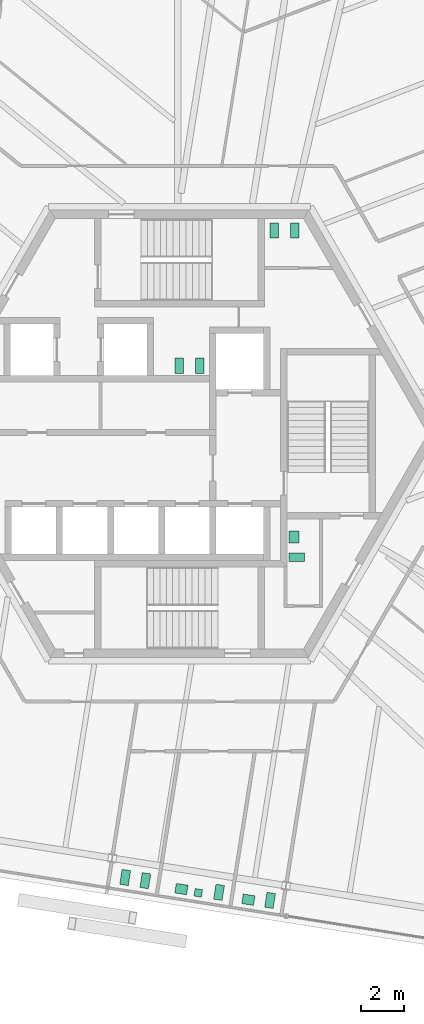
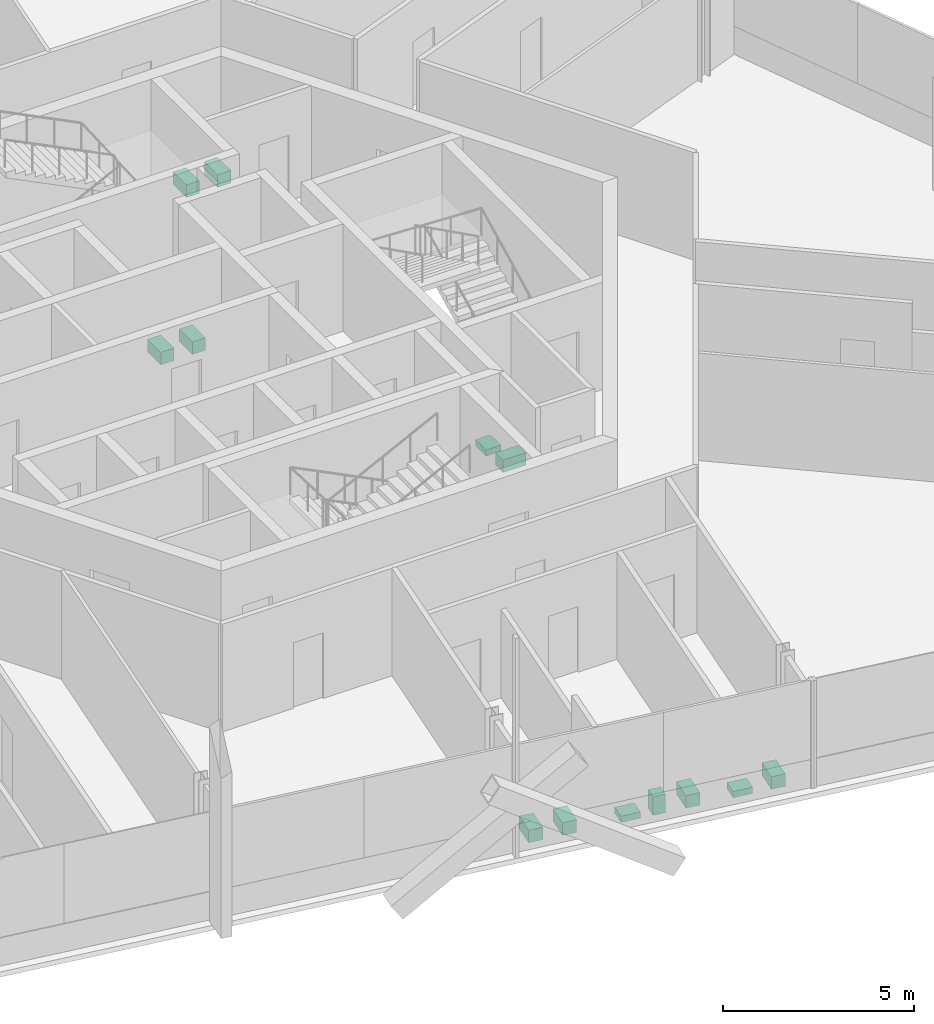
# One storey, part 20 of 22: 13 sanitary terminals.
"""IFC4 building model written with IfcOpenShell, lengths in metres."""

from ifc_helpers import new_model, si_unit, direction, frame, origin, origin_2d, place, context, subcontext, project, spatial, rectangle, extrude, source, transform, mapped, material, element, save


model = new_model("IFC4")

# Units and contexts
model_context = context("Model", 3, precision=1e-05, world=origin(), true_north=direction((0.0, 1.0)))
body_context = subcontext(model_context, "Body", "Model", "MODEL_VIEW")
ifc_project = project(units=[si_unit("LENGTHUNIT", "METRE"), si_unit("AREAUNIT", "SQUARE_METRE"), si_unit("VOLUMEUNIT", "CUBIC_METRE"), si_unit("PLANEANGLEUNIT", "RADIAN"), si_unit("MASSUNIT", "GRAM", prefix="KILO")], contexts=[model_context])

# Site, building, storey
site_placement = place(None, origin())
site = spatial("IfcSite", under=ifc_project, at=site_placement, CompositionType="ELEMENT")
building_placement = place(site_placement, origin())
building = spatial("IfcBuilding", under=site, at=building_placement, Name="Triune Harvest Tower", CompositionType="ELEMENT")
storey_placement = place(building_placement, frame((0.0, 0.0, 153.300048828125)))
storey = spatial("IfcBuildingStorey", under=building, at=storey_placement, Name="L39", CompositionType="ELEMENT", Elevation=153.300048828125)

# Sanitary terminals
ifc_material = material(Name="Vitreous china")
shared_shape_1 = source(origin(), body_context, "Body", "SweptSolid", [
    extrude(rectangle(XDim=0.39990234375, YDim=0.699951171875, at=origin_2d()), origin(), (0.0, 0.0, 1.0), 0.39990234375),
])
for number, where, z_axis, x_axis, name in (
    (1, (4.39990234375, 9.449951171875, 0.0), (0.0, 0.0, 1.0), (1.0, 0.0, 0.0), "Toilet pan L39.c01"),
    (2, (5.35009765625, 9.449951171875, 0.0), (0.0, 0.0, 1.0), (1.0, 0.0, 0.0), "Toilet pan L39.c02"),
    (3, (0.949951171875, 3.159912109375, 0.0), (0.0, 0.0, 1.0), (-1.0, 0.0, 0.0), "Toilet pan L39.c03"),
    (4, (0.0, 3.159912109375, 0.0), (0.0, 0.0, 1.0), (-1.0, 0.0, 0.0), "Toilet pan L39.c04"),
    (5, (5.449951171875, -5.739990234375, 0.0), (0.0, 0.0, 1.0), (0.0, 1.0, 0.0), "Toilet pan L39.c05"),
    (6, (-1.581787109375, -20.7587890625, 0.0), (0.0, 0.0, 1.0), (-0.987688340595, 0.15643446504, 0.0), "Toilet pan 01"),
    (7, (-2.52001953125, -20.610107421875, 0.0), (0.0, 0.0, 1.0), (-0.987688340595, 0.15643446504, 0.0), "Toilet pan 02"),
    (8, (1.840576171875, -21.30078125, 0.0), (0.0, 0.0, 1.0), (-0.987688340595, 0.15643446504, 0.0), "Toilet pan 03"),
    (9, (4.2109375, -21.67626953125, 0.0), (0.0, 0.0, 1.0), (-0.987688340595, 0.15643446504, 0.0), "Toilet pan 06"),
):
    element("IfcSanitaryTerminal", number, at=place(storey_placement, frame(where, z_axis=z_axis, x_axis=x_axis)), inside=storey, material=ifc_material, Name=name, PredefinedType="TOILETPAN", context=body_context, shape_type="MappedRepresentation", body=[
        mapped(shared_shape_1, transform((0.0, 0.0, 0.0), scale=1.0)),
    ])
shared_shape_2 = source(origin(), body_context, "Body", "SweptSolid", [
    extrude(rectangle(XDim=0.35009765625, YDim=0.35009765625, at=origin_2d()), origin(), (0.0, 0.0, 1.0), 0.60009765625),
])
sanitary_terminal_placement = place(storey_placement, frame((0.874755859375, -21.324951171875, 0.0), z_axis=(0.0, 0.0, 1.0), x_axis=(-0.987688340595, 0.15643446504, 0.0)))
element("IfcSanitaryTerminal", 10, at=sanitary_terminal_placement, inside=storey, material=ifc_material, Name="Urinal 04", PredefinedType="URINAL", context=body_context, shape_type="MappedRepresentation", body=[
    mapped(shared_shape_2, transform((0.0, 0.0, 0.0), scale=1.0)),
])
shared_shape_3 = source(origin(), body_context, "Body", "SweptSolid", [
    extrude(rectangle(XDim=0.550048828125, YDim=0.449951171875, at=origin_2d()), origin(), (0.0, 0.0, 1.0), 0.199951171875),
])
for number, where, z_axis, x_axis, name in (
    (11, (5.324951171875, -4.7900390625, 0.0), (0.0, 0.0, 1.0), (0.0, 1.0, 0.0), "Wash basin L39.c06"),
    (12, (0.092529296875, -21.150390625, 0.0), (0.0, 0.0, 1.0), (-0.987688340595, 0.15643446504, 0.0), "Wash basin 05"),
    (13, (3.20361328125, -21.643310546875, 0.0), (0.0, 0.0, 1.0), (-0.987688340595, 0.15643446504, 0.0), "Wash basin 07"),
):
    element("IfcSanitaryTerminal", number, at=place(storey_placement, frame(where, z_axis=z_axis, x_axis=x_axis)), inside=storey, material=ifc_material, Name=name, PredefinedType="WASHHANDBASIN", context=body_context, shape_type="MappedRepresentation", body=[
        mapped(shared_shape_3, transform((0.0, 0.0, 0.0), scale=1.0)),
    ])

save(model, "model.ifc")
